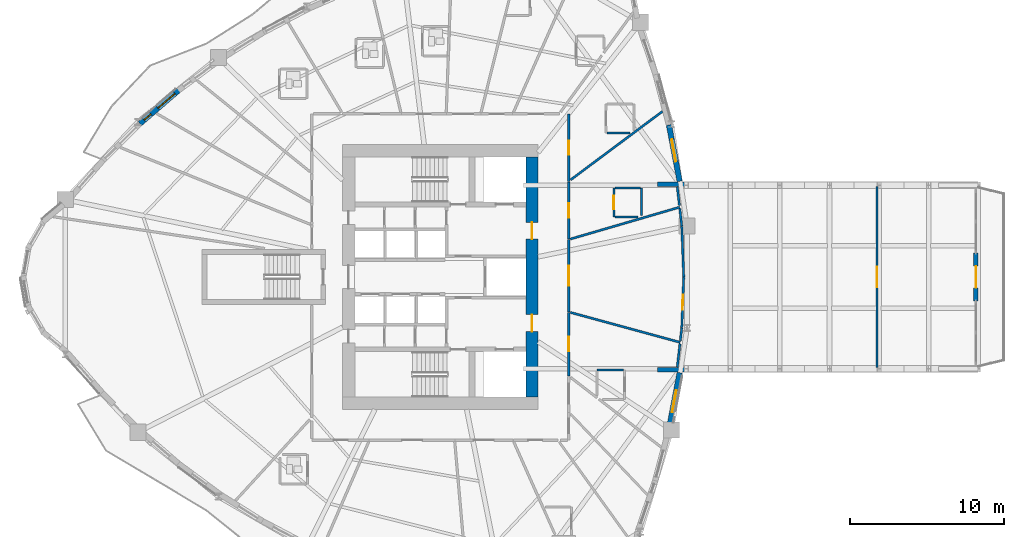
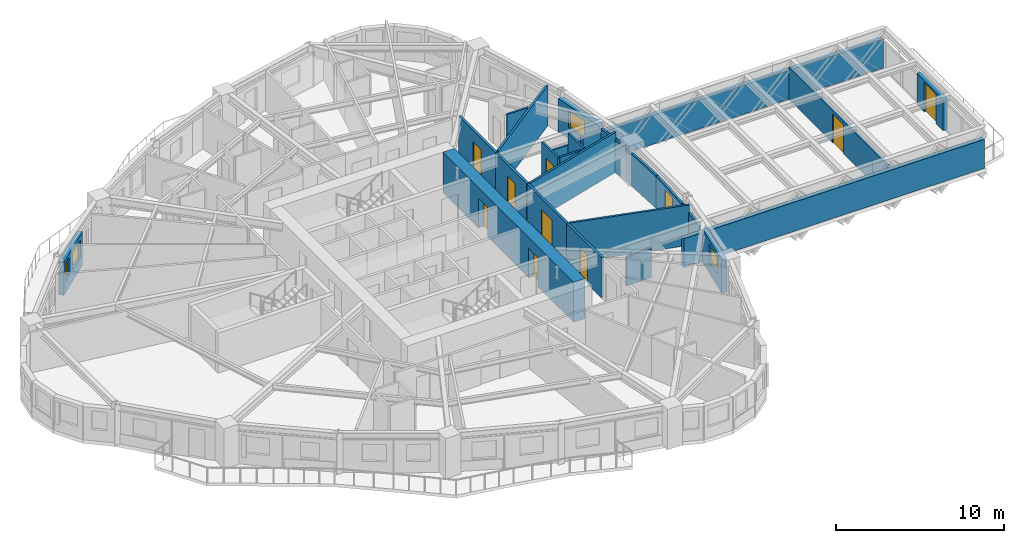
# One storey, part 8 of 16: 27 walls, 10 doors, 4 windows, 14 openings.
"""IFC4 building model written with IfcOpenShell, lengths in metres."""

from ifc_helpers import new_model, si_unit, direction, frame, frame_2d, origin, place, context, subcontext, project, spatial, rectangle, extrude, source, transform, mapped, material, layer, layer_set, type_object, element, fill, save


model = new_model("IFC4")

# Units and contexts
model_context = context("Model", 3, precision=1e-05, world=origin(), true_north=direction((0.0, 1.0)))
body_context = subcontext(model_context, "Body", "Model", "MODEL_VIEW")
ifc_project = project(units=[si_unit("LENGTHUNIT", "METRE"), si_unit("AREAUNIT", "SQUARE_METRE"), si_unit("VOLUMEUNIT", "CUBIC_METRE"), si_unit("PLANEANGLEUNIT", "RADIAN"), si_unit("MASSUNIT", "GRAM", prefix="KILO")], contexts=[model_context])

# Site, building, storey
site_placement = place(None, origin())
site = spatial("IfcSite", under=ifc_project, at=site_placement, CompositionType="ELEMENT")
building_placement = place(site_placement, origin())
building = spatial("IfcBuilding", under=site, at=building_placement, Name="Qafzar Sky-Pleat Residences", CompositionType="ELEMENT")
storey_placement = place(building_placement, frame((0.0, 0.0, 30.199951171875)))
storey = spatial("IfcBuildingStorey", under=building, at=storey_placement, Name="L08", CompositionType="ELEMENT", Elevation=30.199951171875)

# Wall, opening, door
ifc_material_1 = material(Name="Acoustic gypsum plasterboard partition", Category="gypsum")
ifc_layer_1 = layer(ifc_material_1, 0.159912109375)
ifc_layer_set_1 = layer_set([ifc_layer_1], Name="Acoustic gypsum plasterboard partition")
wall_type_1 = type_object("IfcWallType", Name="PART-COR-160", PredefinedType="PARTITIONING", material=ifc_layer_set_1)
wall_1_placement = place(storey_placement, frame((38.679931640625, 28.445068359375, 0.0), z_axis=(0.0, 0.0, 1.0), x_axis=(0.0, -1.0, 0.0)))
wall_1 = element("IfcWall", 1, at=wall_1_placement, inside=storey, type_object=wall_type_1, Name="L08 Partition Wall PART-L08-PW-004", PredefinedType="PARTITIONING", context=body_context, shape_type="SweptSolid", body=[
    extrude(rectangle(XDim=4.73095703125, YDim=0.159912109375, at=frame_2d((2.365478515625, 0.0))), origin(), (0.0, 0.0, 1.0), 2.93505859375),
])
opening_1_placement = place(wall_1_placement, frame((1.715576171875, 0.0, 0.0)))
opening_1 = element("IfcOpeningElement", 2, at=opening_1_placement, cuts=wall_1, Name="Opening ID-05", PredefinedType="OPENING", context=body_context, shape_type="SweptSolid", body=[
    extrude(rectangle(XDim=1.300048828125, YDim=2.10009765625, at=frame_2d((0.64990234375, 1.050048828125))), frame((0.0, 0.08984375, 0.0), z_axis=(0.0, -1.0, 0.0), x_axis=(1.0, 0.0, 0.0)), (0.0, 0.0, 1.0), 0.179931640625),
])
ifc_material_2 = material(Name="Timber-faced fire door", Category="wood")
door_type_1 = type_object("IfcDoorType", Name="DR-LNG-1300", OperationType="DOUBLE_DOOR_SINGLE_SWING", PredefinedType="DOOR", material=ifc_material_2)
shared_shape_1 = source(origin(), body_context, "Body", "SweptSolid", [
    extrude(rectangle(XDim=1.300048828125, YDim=2.10009765625, at=frame_2d((0.64990234375, 1.050048828125))), frame((0.0, 0.02490234375, 0.0), z_axis=(0.0, -1.0, 0.0), x_axis=(1.0, 0.0, 0.0)), (0.0, 0.0, 1.0), 0.050048828125),
])
door_1_placement = place(opening_1_placement, origin())
door_1 = element("IfcDoor", 3, at=door_1_placement, inside=storey, type_object=door_type_1, Name="L08 Co-Living Lounge Door", OperationType="DOUBLE_DOOR_SINGLE_SWING", OverallHeight=2.10009765625, OverallWidth=1.300048828125, PredefinedType="DOOR", context=body_context, shape_type="MappedRepresentation", body=[
    mapped(shared_shape_1, transform((0.0, 0.0, 0.0), x_axis=(1.0, 0.0, 0.0), y_axis=(0.0, 1.0, 0.0), z_axis=(0.0, 0.0, 1.0), scale=1.0)),
])
fill(opening_1, door_1)

wall_2_placement = place(storey_placement, frame((38.679931640625, 36.580078125, 0.0), z_axis=(0.0, 0.0, 1.0), x_axis=(0.0, -1.0, 0.0)))
wall_2 = element("IfcWall", 4, at=wall_2_placement, inside=storey, type_object=wall_type_1, Name="L08 Partition Wall PART-L08-PW-005", PredefinedType="PARTITIONING", context=body_context, shape_type="SweptSolid", body=[
    extrude(rectangle(XDim=4.39013671875, YDim=0.159912109375, at=frame_2d((2.195068359375, 0.0))), origin(), (0.0, 0.0, 1.0), 2.93505859375),
])
opening_2_placement = place(wall_2_placement, frame((1.7255859375, 0.0, 0.0)))
opening_2 = element("IfcOpeningElement", 5, at=opening_2_placement, cuts=wall_2, Name="Opening ID-04", PredefinedType="OPENING", context=body_context, shape_type="SweptSolid", body=[
    extrude(rectangle(XDim=0.919921875, YDim=2.10009765625, at=frame_2d((0.4599609375, 1.050048828125))), frame((0.0, 0.08984375, 0.0), z_axis=(0.0, -1.0, 0.0), x_axis=(1.0, 0.0, 0.0)), (0.0, 0.0, 1.0), 0.179931640625),
])
door_type_2 = type_object("IfcDoorType", Name="DR-BED-920", OperationType="NOTDEFINED", PredefinedType="DOOR", material=ifc_material_2)
shared_shape_2 = source(origin(), body_context, "Body", "SweptSolid", [
    extrude(rectangle(XDim=0.919921875, YDim=2.10009765625, at=frame_2d((0.4599609375, 1.050048828125))), frame((0.0, 0.02490234375, 0.0), z_axis=(0.0, -1.0, 0.0), x_axis=(1.0, 0.0, 0.0)), (0.0, 0.0, 1.0), 0.050048828125),
])
door_2_placement = place(opening_2_placement, origin())
door_2 = element("IfcDoor", 6, at=door_2_placement, inside=storey, type_object=door_type_2, Name="L08 Co-Living Bedroom 10 Door", OperationType="SINGLE_SWING_RIGHT", OverallHeight=2.10009765625, OverallWidth=0.919921875, PredefinedType="DOOR", context=body_context, shape_type="MappedRepresentation", body=[
    mapped(shared_shape_2, transform((0.0, 0.0, 0.0), x_axis=(1.0, 0.0, 0.0), y_axis=(0.0, 1.0, 0.0), z_axis=(0.0, 0.0, 1.0), scale=1.0)),
])
fill(opening_2, door_2)

wall_3_placement = place(storey_placement, frame((38.679931640625, 23.698974609375, 0.0), z_axis=(0.0, 0.0, 1.0), x_axis=(0.0, -1.0, 0.0)))
wall_3 = element("IfcWall", 7, at=wall_3_placement, inside=storey, type_object=wall_type_1, Name="L08 Partition Wall PART-L08-PW-006", PredefinedType="PARTITIONING", context=body_context, shape_type="SweptSolid", body=[
    extrude(rectangle(XDim=4.135009765625, YDim=0.159912109375, at=frame_2d((2.0673828125, 0.0))), origin(), (0.0, 0.0, 1.0), 2.93505859375),
])
opening_3_placement = place(wall_3_placement, frame((1.58251953125, 0.0, 0.0)))
opening_3 = element("IfcOpeningElement", 8, at=opening_3_placement, cuts=wall_3, Name="Opening ID-04", PredefinedType="OPENING", context=body_context, shape_type="SweptSolid", body=[
    extrude(rectangle(XDim=0.919921875, YDim=2.10009765625, at=frame_2d((0.4599609375, 1.050048828125))), frame((0.0, 0.08984375, 0.0), z_axis=(0.0, -1.0, 0.0), x_axis=(1.0, 0.0, 0.0)), (0.0, 0.0, 1.0), 0.179931640625),
])
door_3_placement = place(opening_3_placement, origin())
door_3 = element("IfcDoor", 9, at=door_3_placement, inside=storey, type_object=door_type_2, Name="L08 Co-Living Bedroom 8 Door", OperationType="SINGLE_SWING_LEFT", OverallHeight=2.10009765625, OverallWidth=0.919921875, PredefinedType="DOOR", context=body_context, shape_type="MappedRepresentation", body=[
    mapped(shared_shape_2, transform((0.0, 0.0, 0.0), x_axis=(1.0, 0.0, 0.0), y_axis=(0.0, 1.0, 0.0), z_axis=(0.0, 0.0, 1.0), scale=1.0)),
])
fill(opening_3, door_3)

wall_4_placement = place(storey_placement, frame((38.679931640625, 32.175048828125, 0.0), z_axis=(0.0, 0.0, 1.0), x_axis=(0.0, -1.0, 0.0)))
wall_4 = element("IfcWall", 10, at=wall_4_placement, inside=storey, type_object=wall_type_1, Name="L08 Partition Wall PART-L08-PW-010", PredefinedType="PARTITIONING", context=body_context, shape_type="SweptSolid", body=[
    extrude(rectangle(XDim=3.715087890625, YDim=0.159912109375, at=frame_2d((1.857421875, 0.0))), origin(), (0.0, 0.0, 1.0), 2.93505859375),
])
opening_4_placement = place(wall_4_placement, frame((1.39599609375, 0.0, 0.0)))
opening_4 = element("IfcOpeningElement", 11, at=opening_4_placement, cuts=wall_4, Name="Opening ID-04", PredefinedType="OPENING", context=body_context, shape_type="SweptSolid", body=[
    extrude(rectangle(XDim=0.919921875, YDim=2.10009765625, at=frame_2d((0.4599609375, 1.050048828125))), frame((0.0, 0.08984375, 0.0), z_axis=(0.0, -1.0, 0.0), x_axis=(1.0, 0.0, 0.0)), (0.0, 0.0, 1.0), 0.179931640625),
])
door_4_placement = place(opening_4_placement, origin())
door_4 = element("IfcDoor", 12, at=door_4_placement, inside=storey, type_object=door_type_2, Name="L08 Co-Living Bedroom 9 Door", OperationType="SINGLE_SWING_RIGHT", OverallHeight=2.10009765625, OverallWidth=0.919921875, PredefinedType="DOOR", context=body_context, shape_type="MappedRepresentation", body=[
    mapped(shared_shape_2, transform((0.0, 0.0, 0.0), x_axis=(1.0, 0.0, 0.0), y_axis=(0.0, 1.0, 0.0), z_axis=(0.0, 0.0, 1.0), scale=1.0)),
])
fill(opening_4, door_4)

ifc_layer_2 = layer(ifc_material_1, 0.14501953125)
ifc_layer_set_2 = layer_set([ifc_layer_2], Name="Acoustic gypsum plasterboard partition")
wall_type_2 = type_object("IfcWallType", Name="PART-UNIT-145", PredefinedType="PARTITIONING", material=ifc_layer_set_2)
wall_5_placement = place(storey_placement, frame((58.69091796875, 31.862060546875, 0.0), z_axis=(0.0, 0.0, 1.0), x_axis=(0.0, -1.0, 0.0)))
wall_5 = element("IfcWall", 13, at=wall_5_placement, inside=storey, type_object=wall_type_2, Name="L08 Partition Wall PART-L08-PW-001", PredefinedType="PARTITIONING", context=body_context, shape_type="SweptSolid", body=[
    extrude(rectangle(XDim=11.72412109375, YDim=0.14501953125, at=frame_2d((5.862060546875, 0.0))), origin(), (0.0, 0.0, 1.0), 2.35302734375),
])
opening_5_placement = place(wall_5_placement, frame((5.2119140625, 0.0, 0.0)))
opening_5 = element("IfcOpeningElement", 14, at=opening_5_placement, cuts=wall_5, Name="Opening ID-05", PredefinedType="OPENING", context=body_context, shape_type="SweptSolid", body=[
    extrude(rectangle(XDim=1.300048828125, YDim=2.10009765625, at=frame_2d((0.64990234375, 1.050048828125))), frame((0.0, 0.08251953125, 0.0), z_axis=(0.0, -1.0, 0.0), x_axis=(1.0, 0.0, 0.0)), (0.0, 0.0, 1.0), 0.1650390625),
])
door_5_placement = place(opening_5_placement, origin())
door_5 = element("IfcDoor", 15, at=door_5_placement, inside=storey, type_object=door_type_1, Name="L08 Panorama Sky Lounge Door", OperationType="DOUBLE_DOOR_SINGLE_SWING", OverallHeight=2.10009765625, OverallWidth=1.300048828125, PredefinedType="DOOR", context=body_context, shape_type="MappedRepresentation", body=[
    mapped(shared_shape_1, transform((0.0, 0.0, 0.0), x_axis=(1.0, 0.0, 0.0), y_axis=(0.0, 1.0, 0.0), z_axis=(0.0, 0.0, 1.0), scale=1.0)),
])
fill(opening_5, door_5)

wall_6_placement = place(storey_placement, frame((46.1455078125, 25.985107421875, 0.0), z_axis=(0.0, 0.0, 1.0), x_axis=(-0.038094618751, -0.999274136572, 0.0)))
wall_6 = element("IfcWall", 16, at=wall_6_placement, inside=storey, type_object=wall_type_2, Name="L08 Partition Wall PART-L08-PW-012", PredefinedType="PARTITIONING", context=body_context, shape_type="SweptSolid", body=[
    extrude(rectangle(XDim=3.2685546875, YDim=0.14501953125, at=frame_2d((1.63427734375, 0.0))), origin(), (0.0, 0.0, 1.0), 2.403076171875),
])
opening_6_placement = place(wall_6_placement, frame((1.146728515625, 0.0, 0.0)))
opening_6 = element("IfcOpeningElement", 17, at=opening_6_placement, cuts=wall_6, Name="Opening ID-06", PredefinedType="OPENING", context=body_context, shape_type="SweptSolid", body=[
    extrude(rectangle(XDim=0.9599609375, YDim=2.10009765625, at=frame_2d((0.47998046875, 1.050048828125))), frame((0.0, 0.08251953125, 0.0), z_axis=(0.0, -1.0, 0.0), x_axis=(1.0, 0.0, 0.0)), (0.0, 0.0, 1.0), 0.1650390625),
])
door_type_3 = type_object("IfcDoorType", Name="DR-STD-960", OperationType="NOTDEFINED", PredefinedType="DOOR", material=ifc_material_2)
shared_shape_3 = source(origin(), body_context, "Body", "SweptSolid", [
    extrude(rectangle(XDim=0.9599609375, YDim=2.10009765625, at=frame_2d((0.47998046875, 1.050048828125))), frame((0.0, 0.02490234375, 0.0), z_axis=(0.0, -1.0, 0.0), x_axis=(1.0, 0.0, 0.0)), (0.0, 0.0, 1.0), 0.050048828125),
])
door_6_placement = place(opening_6_placement, origin())
door_6 = element("IfcDoor", 18, at=door_6_placement, inside=storey, type_object=door_type_3, Name="L08 Sky-Bar Reading Library Door", OperationType="SINGLE_SWING_RIGHT", OverallHeight=2.10009765625, OverallWidth=0.9599609375, PredefinedType="DOOR", context=body_context, shape_type="MappedRepresentation", body=[
    mapped(shared_shape_3, transform((0.0, 0.0, 0.0), x_axis=(1.0, 0.0, 0.0), y_axis=(0.0, 1.0, 0.0), z_axis=(0.0, 0.0, 1.0), scale=1.0)),
])
fill(opening_6, door_6)

# Walls
wall_7_placement = place(storey_placement, frame((38.809814453125, 32.3056640625, 0.0), z_axis=(0.0, 0.0, 1.0), x_axis=(0.801799720797, 0.597592844443, 0.0)))
element("IfcWall", 19, at=wall_7_placement, inside=storey, type_object=wall_type_2, Name="L08 Partition Wall PART-L08-PW-041", PredefinedType="PARTITIONING", context=body_context, shape_type="SweptSolid", body=[
    extrude(rectangle(XDim=7.42431640625, YDim=0.14501953125, at=frame_2d((3.712158203125, 0.0))), origin(), (0.0, 0.0, 1.0), 2.93505859375),
])
wall_8_placement = place(storey_placement, frame((38.7880859375, 28.46044921875, 0.0), z_axis=(0.0, 0.0, 1.0), x_axis=(0.959983709987, 0.280055845432, 0.0)))
element("IfcWall", 20, at=wall_8_placement, inside=storey, type_object=wall_type_2, Name="L08 Partition Wall PART-L08-PW-042", PredefinedType="PARTITIONING", context=body_context, shape_type="SweptSolid", body=[
    extrude(rectangle(XDim=7.386474609375, YDim=0.14501953125, at=frame_2d((3.693359375, 0.0))), origin(), (0.0, 0.0, 1.0), 2.93505859375),
])
wall_9_placement = place(storey_placement, frame((38.786865234375, 23.700927734375, 0.0), z_axis=(0.0, 0.0, 1.0), x_axis=(0.964810342249, -0.262946769308, 0.0)))
element("IfcWall", 21, at=wall_9_placement, inside=storey, type_object=wall_type_2, Name="L08 Partition Wall PART-L08-PW-043", PredefinedType="PARTITIONING", context=body_context, shape_type="SweptSolid", body=[
    extrude(rectangle(XDim=7.385009765625, YDim=0.14501953125, at=frame_2d((3.6923828125, 0.0))), origin(), (0.0, 0.0, 1.0), 2.93505859375),
])
wall_10_placement = place(storey_placement, frame((46.02099609375, 29.281005859375, 0.0), z_axis=(0.0, 0.0, 1.0), x_axis=(0.038070453861, -0.999275057501, 0.0)))
element("IfcWall", 22, at=wall_10_placement, inside=storey, type_object=wall_type_2, Name="L08 Partition Wall PART-L08-PW-056", PredefinedType="PARTITIONING", context=body_context, shape_type="SweptSolid", body=[
    extrude(rectangle(XDim=3.283447265625, YDim=0.14501953125, at=frame_2d((1.6416015625, 0.0))), origin(), (0.0, 0.0, 1.0), 2.403076171875),
])
wall_11_placement = place(storey_placement, frame((45.728515625, 20.14599609375, 0.0), z_axis=(0.0, 0.0, 1.0), x_axis=(0.113074294354, 0.993586535716, 0.0)))
element("IfcWall", 23, at=wall_11_placement, inside=storey, type_object=wall_type_2, Name="L08 Partition Wall PART-L08-PW-087", PredefinedType="PARTITIONING", context=body_context, shape_type="SweptSolid", body=[
    extrude(rectangle(XDim=1.53076171875, YDim=0.14501953125, at=frame_2d((0.765380859375, 0.0))), origin(), (0.0, 0.0, 1.0), 2.403076171875),
])
wall_12_placement = place(storey_placement, frame((45.8896484375, 30.435546875, 0.0), z_axis=(0.0, 0.0, 1.0), x_axis=(0.113024308153, -0.993592223081, 0.0)))
element("IfcWall", 24, at=wall_12_placement, inside=storey, type_object=wall_type_2, Name="L08 Partition Wall PART-L08-PW-089", PredefinedType="PARTITIONING", context=body_context, shape_type="SweptSolid", body=[
    extrude(rectangle(XDim=1.14697265625, YDim=0.14501953125, at=frame_2d((0.573486328125, 0.0))), origin(), (0.0, 0.0, 1.0), 2.403076171875),
])
wall_13_placement = place(storey_placement, frame((45.728515625, 31.85400390625, 0.0), z_axis=(0.0, 0.0, 1.0), x_axis=(0.112860473391, -0.993610846129, 0.0)))
element("IfcWall", 25, at=wall_13_placement, inside=storey, type_object=wall_type_2, Name="L08 Partition Wall PART-L08-PW-090", PredefinedType="PARTITIONING", context=body_context, shape_type="SweptSolid", body=[
    extrude(rectangle(XDim=1.224365234375, YDim=0.14501953125, at=frame_2d((0.6123046875, 0.0))), origin(), (0.0, 0.0, 1.0), 2.403076171875),
])
wall_14_placement = place(storey_placement, frame((45.924072265625, 21.86572265625, 0.0), z_axis=(0.0, 0.0, 1.0), x_axis=(0.112844765803, 0.993612630169, 0.0)))
element("IfcWall", 26, at=wall_14_placement, inside=storey, type_object=wall_type_2, Name="L08 Partition Wall PART-L08-PW-096", PredefinedType="PARTITIONING", context=body_context, shape_type="SweptSolid", body=[
    extrude(rectangle(XDim=0.84375, YDim=0.14501953125, at=frame_2d((0.421875, 0.0))), origin(), (0.0, 0.0, 1.0), 2.403076171875),
])

# Wall, opening, door
ifc_material_3 = material(Name="Moisture-resistant gypsum partition", Category="gypsum")
ifc_layer_3 = layer(ifc_material_3, 0.1298828125)
ifc_layer_set_3 = layer_set([ifc_layer_3], Name="Moisture-resistant gypsum partition")
wall_type_3 = type_object("IfcWallType", Name="PART-WET-130", PredefinedType="PARTITIONING", material=ifc_layer_set_3)
wall_15_placement = place(storey_placement, frame((41.611083984375, 31.7880859375, 0.0), z_axis=(0.0, 0.0, 1.0), x_axis=(0.0, -1.0, 0.0)))
wall_15 = element("IfcWall", 27, at=wall_15_placement, inside=storey, type_object=wall_type_3, Name="L08 Partition Wall PART-L08-PW-026", PredefinedType="PARTITIONING", context=body_context, shape_type="SweptSolid", body=[
    extrude(rectangle(XDim=1.900146484375, YDim=0.1298828125, at=frame_2d((0.9501953125, 0.0))), origin(), (0.0, 0.0, 1.0), 2.93505859375),
])
opening_7_placement = place(wall_15_placement, frame((0.510009765625, 0.0, 0.0)))
opening_7 = element("IfcOpeningElement", 28, at=opening_7_placement, cuts=wall_15, Name="Opening ID-07", PredefinedType="OPENING", context=body_context, shape_type="SweptSolid", body=[
    extrude(rectangle(XDim=0.8798828125, YDim=2.050048828125, at=frame_2d((0.43994140625, 1.02490234375))), frame((0.0, 0.074951171875, 0.0), z_axis=(0.0, -1.0, 0.0), x_axis=(1.0, 0.0, 0.0)), (0.0, 0.0, 1.0), 0.14990234375),
])
door_type_4 = type_object("IfcDoorType", Name="DR-WET-880", OperationType="NOTDEFINED", PredefinedType="DOOR", material=ifc_material_2)
shared_shape_4 = source(origin(), body_context, "Body", "SweptSolid", [
    extrude(rectangle(XDim=0.8798828125, YDim=2.050048828125, at=frame_2d((0.43994140625, 1.02490234375))), frame((0.0, 0.02490234375, 0.0), z_axis=(0.0, -1.0, 0.0), x_axis=(1.0, 0.0, 0.0)), (0.0, 0.0, 1.0), 0.050048828125),
])
door_7_placement = place(opening_7_placement, origin())
door_7 = element("IfcDoor", 29, at=door_7_placement, inside=storey, type_object=door_type_4, Name="L08 En-suite Bathroom 9 Door", OperationType="SINGLE_SWING_RIGHT", OverallHeight=2.050048828125, OverallWidth=0.8798828125, PredefinedType="DOOR", context=body_context, shape_type="MappedRepresentation", body=[
    mapped(shared_shape_4, transform((0.0, 0.0, 0.0), x_axis=(1.0, 0.0, 0.0), y_axis=(0.0, 1.0, 0.0), z_axis=(0.0, 0.0, 1.0), scale=1.0)),
])
fill(opening_7, door_7)

# Walls
wall_16_placement = place(storey_placement, frame((43.410888671875, 29.990478515625, 0.0), z_axis=(0.0, 0.0, 1.0), x_axis=(0.0, 1.0, 0.0)))
element("IfcWall", 30, at=wall_16_placement, inside=storey, type_object=wall_type_3, Name="L08 Partition Wall PART-L08-PW-064", PredefinedType="PARTITIONING", context=body_context, shape_type="SweptSolid", body=[
    extrude(rectangle(XDim=1.797607421875, YDim=0.1298828125, at=frame_2d((0.89892578125, 0.0))), origin(), (0.0, 0.0, 1.0), 2.93505859375),
])
wall_17_placement = place(storey_placement, frame((41.68408203125, 31.7880859375, 0.0), z_axis=(0.0, 0.0, 1.0), x_axis=(1.0, 0.0, 0.0)))
element("IfcWall", 31, at=wall_17_placement, inside=storey, type_object=wall_type_3, Name="L08 Partition Wall PART-L08-PW-068", PredefinedType="PARTITIONING", context=body_context, shape_type="SweptSolid", body=[
    extrude(rectangle(XDim=1.65380859375, YDim=0.1298828125, at=frame_2d((0.826904296875, 0.0))), origin(), (0.0, 0.0, 1.0), 2.10302734375),
])
wall_18_placement = place(storey_placement, frame((41.68408203125, 29.887939453125, 0.0), z_axis=(0.0, 0.0, 1.0), x_axis=(1.0, 0.0, 0.0)))
element("IfcWall", 32, at=wall_18_placement, inside=storey, type_object=wall_type_3, Name="L08 Partition Wall PART-L08-PW-069", PredefinedType="PARTITIONING", context=body_context, shape_type="SweptSolid", body=[
    extrude(rectangle(XDim=1.48681640625, YDim=0.1298828125, at=frame_2d((0.743408203125, 0.0))), origin(), (0.0, 0.0, 1.0), 2.93505859375),
])
wall_19_placement = place(storey_placement, frame((40.51806640625, 19.966064453125, 0.0), z_axis=(0.0, 0.0, 1.0), x_axis=(1.0, 0.0, 0.0)))
element("IfcWall", 33, at=wall_19_placement, inside=storey, type_object=wall_type_3, Name="L08 Partition Wall PART-L08-PW-076", PredefinedType="PARTITIONING", context=body_context, shape_type="SweptSolid", body=[
    extrude(rectangle(XDim=1.72705078125, YDim=0.1298828125, at=frame_2d((0.863525390625, 0.0))), origin(), (0.0, 0.0, 1.0), 2.10302734375),
])
wall_20_placement = place(storey_placement, frame((41.178955078125, 35.3330078125, 0.0), z_axis=(0.0, 0.0, 1.0), x_axis=(1.0, 0.0, 0.0)))
element("IfcWall", 34, at=wall_20_placement, inside=storey, type_object=wall_type_3, Name="L08 Partition Wall PART-L08-PW-080", PredefinedType="PARTITIONING", context=body_context, shape_type="SweptSolid", body=[
    extrude(rectangle(XDim=1.4755859375, YDim=0.1298828125, at=frame_2d((0.73779296875, 0.0))), origin(), (0.0, 0.0, 1.0), 2.93505859375),
])
ifc_material_4 = material(Name="Precast concrete C40/50 with honed Riyadh limestone", Category="concrete")
ifc_layer_4 = layer(ifc_material_4, 0.300048828125)
ifc_layer_set_4 = layer_set([ifc_layer_4], Name="Precast concrete C40/50 with honed Riyadh limestone")
wall_type_4 = type_object("IfcWallType", Name="WALL-EXT-300", PredefinedType="SOLIDWALL", material=ifc_layer_set_4)
for number, where, z_axis, x_axis, name in (
    (35, (44.449951171875, 32.02001953125, 0.0), (0.0, 0.0, 1.0), (1.0, 0.0, 0.0), "L08 SB-1 Side Spandrel Wall L"),
    (36, (44.449951171875, 19.97998046875, 0.0), (0.0, 0.0, 1.0), (1.0, 0.0, 0.0), "L08 SB-1 Side Spandrel Wall R"),
):
    element("IfcWall", number, at=place(storey_placement, frame(where, z_axis=z_axis, x_axis=x_axis)), inside=storey, type_object=wall_type_4, Name=name, PredefinedType="SOLIDWALL", context=body_context, shape_type="SweptSolid", body=[
        extrude(rectangle(XDim=20.6845703125, YDim=0.300048828125, at=frame_2d((10.34228515625, 0.0))), origin(), (0.0, 0.0, 1.0), 2.114990234375),
    ])

# Wall, opening, door
wall_21_placement = place(storey_placement, frame((65.1044921875, 27.56005859375, 0.0), z_axis=(0.0, 0.0, 1.0), x_axis=(0.0, -1.0, 0.0)))
wall_21 = element("IfcWall", 37, at=wall_21_placement, inside=storey, type_object=wall_type_4, Name="L08 SB-1 Prow Portal Wall", PredefinedType="SOLIDWALL", context=body_context, shape_type="SweptSolid", body=[
    extrude(rectangle(XDim=3.1201171875, YDim=0.300048828125, at=frame_2d((1.56005859375, 0.0))), origin(), (0.0, 0.0, 1.0), 2.300048828125),
])
opening_8_placement = place(wall_21_placement, frame((0.860107421875, 0.0, 0.0)))
opening_8 = element("IfcOpeningElement", 38, at=opening_8_placement, cuts=wall_21, Name="Opening ED-07", PredefinedType="OPENING", context=body_context, shape_type="SweptSolid", body=[
    extrude(rectangle(XDim=1.39990234375, YDim=2.14990234375, at=frame_2d((0.699951171875, 1.074951171875))), frame((0.0, 0.16015625, 0.0), z_axis=(0.0, -1.0, 0.0), x_axis=(1.0, 0.0, 0.0)), (0.0, 0.0, 1.0), 0.320068359375),
])
ifc_material_5 = material(Name="Glazed bronze aluminium door", Category="aluminium")
door_type_5 = type_object("IfcDoorType", Name="DR-SB-1400", OperationType="DOUBLE_DOOR_SINGLE_SWING", PredefinedType="DOOR", material=ifc_material_5)
shared_shape_5 = source(origin(), body_context, "Body", "SweptSolid", [
    extrude(rectangle(XDim=1.39990234375, YDim=2.14990234375, at=frame_2d((0.699951171875, 1.074951171875))), frame((0.0, 0.02490234375, 0.0), z_axis=(0.0, -1.0, 0.0), x_axis=(1.0, 0.0, 0.0)), (0.0, 0.0, 1.0), 0.050048828125),
])
door_8_placement = place(opening_8_placement, origin())
door_8 = element("IfcDoor", 39, at=door_8_placement, inside=storey, type_object=door_type_5, Name="L08 SB-1 Tip Balcony Glazed Door", OperationType="DOUBLE_DOOR_SINGLE_SWING", OverallHeight=2.14990234375, OverallWidth=1.39990234375, PredefinedType="DOOR", context=body_context, shape_type="MappedRepresentation", body=[
    mapped(shared_shape_5, transform((0.0, 0.0, 0.0), x_axis=(1.0, 0.0, 0.0), y_axis=(0.0, 1.0, 0.0), z_axis=(0.0, 0.0, 1.0), scale=1.0)),
])
fill(opening_8, door_8)

# Wall, opening, window
ifc_layer_5 = layer(ifc_material_4, 0.35009765625)
ifc_layer_set_5 = layer_set([ifc_layer_5], Name="Precast concrete C40/50 with honed Riyadh limestone")
wall_type_5 = type_object("IfcWallType", Name="WALL-EXT-350", PredefinedType="SOLIDWALL", material=ifc_layer_set_5)
wall_22_placement = place(storey_placement, frame((45.239501953125, 16.407958984375, 0.0), z_axis=(0.0, 0.0, 1.0), x_axis=(0.186636709983, 0.982428999209, 0.0)))
wall_22 = element("IfcWall", 40, at=wall_22_placement, inside=storey, type_object=wall_type_5, Name="L08 Limestone Facade Wall 25", PredefinedType="SOLIDWALL", context=body_context, shape_type="SweptSolid", body=[
    extrude(rectangle(XDim=3.445556640625, YDim=0.35009765625, at=frame_2d((1.72265625, 0.0))), origin(), (0.0, 0.0, 1.0), 2.4150390625),
])
opening_9_placement = place(wall_22_placement, frame((0.827880859375, 0.0, 0.820068359375)))
opening_9 = element("IfcOpeningElement", 41, at=opening_9_placement, cuts=wall_22, Name="Opening WN-15", PredefinedType="OPENING", context=body_context, shape_type="SweptSolid", body=[
    extrude(rectangle(XDim=1.449951171875, YDim=1.25, at=frame_2d((0.72509765625, 0.625))), frame((0.0, 0.18505859375, 0.0), z_axis=(0.0, -1.0, 0.0), x_axis=(1.0, 0.0, 0.0)), (0.0, 0.0, 1.0), 0.3701171875),
])
ifc_material_6 = material(Name="Solar-control low-E glass in bronze aluminium frame", Category="glass")
window_type_1 = type_object("IfcWindowType", Name="WIN-15", PartitioningType="SINGLE_PANEL", PredefinedType="WINDOW", material=ifc_material_6)
shared_shape_6 = source(origin(), body_context, "Body", "SweptSolid", [
    extrude(rectangle(XDim=1.449951171875, YDim=1.25, at=frame_2d((0.72509765625, 0.625))), frame((0.0, 0.030029296875, 0.0), z_axis=(0.0, -1.0, 0.0), x_axis=(1.0, 0.0, 0.0)), (0.0, 0.0, 1.0), 0.06005859375),
])
window_1_placement = place(opening_9_placement, origin())
window_1 = element("IfcWindow", 42, at=window_1_placement, inside=storey, type_object=window_type_1, Name="L08 Punched Facade Window 25", OverallHeight=1.25, OverallWidth=1.449951171875, PartitioningType="SINGLE_PANEL", PredefinedType="WINDOW", context=body_context, shape_type="MappedRepresentation", body=[
    mapped(shared_shape_6, transform((0.0, 0.0, 0.0), x_axis=(1.0, 0.0, 0.0), y_axis=(0.0, 1.0, 0.0), z_axis=(0.0, 0.0, 1.0), scale=1.0)),
])
fill(opening_9, window_1)

wall_23_placement = place(storey_placement, frame((45.882568359375, 32.20703125, 0.0), z_axis=(0.0, 0.0, 1.0), x_axis=(-0.186693533797, 0.982418202416, 0.0)))
wall_23 = element("IfcWall", 43, at=wall_23_placement, inside=storey, type_object=wall_type_5, Name="L08 Limestone Facade Wall 30", PredefinedType="SOLIDWALL", context=body_context, shape_type="SweptSolid", body=[
    extrude(rectangle(XDim=3.7255859375, YDim=0.35009765625, at=frame_2d((1.86279296875, 0.0))), origin(), (0.0, 0.0, 1.0), 2.4150390625),
])
opening_10_placement = place(wall_23_placement, frame((1.312744140625, 0.0, 0.820068359375)))
opening_10 = element("IfcOpeningElement", 44, at=opening_10_placement, cuts=wall_23, Name="Opening WN-15", PredefinedType="OPENING", context=body_context, shape_type="SweptSolid", body=[
    extrude(rectangle(XDim=1.449951171875, YDim=1.25, at=frame_2d((0.72509765625, 0.625))), frame((0.0, 0.18505859375, 0.0), z_axis=(0.0, -1.0, 0.0), x_axis=(1.0, 0.0, 0.0)), (0.0, 0.0, 1.0), 0.3701171875),
])
window_2_placement = place(opening_10_placement, origin())
window_2 = element("IfcWindow", 45, at=window_2_placement, inside=storey, type_object=window_type_1, Name="L08 Punched Facade Window 30", OverallHeight=1.25, OverallWidth=1.449951171875, PartitioningType="SINGLE_PANEL", PredefinedType="WINDOW", context=body_context, shape_type="MappedRepresentation", body=[
    mapped(shared_shape_6, transform((0.0, 0.0, 0.0), x_axis=(1.0, 0.0, 0.0), y_axis=(0.0, 1.0, 0.0), z_axis=(0.0, 0.0, 1.0), scale=1.0)),
])
fill(opening_10, window_2)

# Wall, openings, windows
wall_24_placement = place(storey_placement, frame((13.42431640625, 38.159912109375, 0.0), z_axis=(0.0, 0.0, 1.0), x_axis=(-0.757512075852, -0.652821150805, 0.0)))
wall_24 = element("IfcWall", 46, at=wall_24_placement, inside=storey, type_object=wall_type_5, Name="L08 Limestone Facade Wall 46", PredefinedType="SOLIDWALL", context=body_context, shape_type="SweptSolid", body=[
    extrude(rectangle(XDim=3.3837890625, YDim=0.35009765625, at=frame_2d((1.69189453125, 0.0))), origin(), (0.0, 0.0, 1.0), 2.4150390625),
])
opening_11_placement = place(wall_24_placement, frame((0.3916015625, 0.0, 0.820068359375)))
opening_11 = element("IfcOpeningElement", 47, at=opening_11_placement, cuts=wall_24, Name="Opening WN-15", PredefinedType="OPENING", context=body_context, shape_type="SweptSolid", body=[
    extrude(rectangle(XDim=1.449951171875, YDim=1.25, at=frame_2d((0.72509765625, 0.625))), frame((0.0, 0.18505859375, 0.0), z_axis=(0.0, -1.0, 0.0), x_axis=(1.0, 0.0, 0.0)), (0.0, 0.0, 1.0), 0.3701171875),
])
opening_12_placement = place(wall_24_placement, frame((2.44873046875, 0.0, 0.820068359375)))
opening_12 = element("IfcOpeningElement", 48, at=opening_12_placement, cuts=wall_24, Name="Opening WN-17", PredefinedType="OPENING", context=body_context, shape_type="SweptSolid", body=[
    extrude(rectangle(XDim=0.580078125, YDim=1.35009765625, at=frame_2d((0.2900390625, 0.675048828125))), frame((0.0, 0.18505859375, 0.0), z_axis=(0.0, -1.0, 0.0), x_axis=(1.0, 0.0, 0.0)), (0.0, 0.0, 1.0), 0.3701171875),
])
window_3_placement = place(opening_11_placement, origin())
window_3 = element("IfcWindow", 49, at=window_3_placement, inside=storey, type_object=window_type_1, Name="L08 Punched Facade Window 46", OverallHeight=1.25, OverallWidth=1.449951171875, PartitioningType="SINGLE_PANEL", PredefinedType="WINDOW", context=body_context, shape_type="MappedRepresentation", body=[
    mapped(shared_shape_6, transform((0.0, 0.0, 0.0), x_axis=(1.0, 0.0, 0.0), y_axis=(0.0, 1.0, 0.0), z_axis=(0.0, 0.0, 1.0), scale=1.0)),
])
fill(opening_11, window_3)
window_type_2 = type_object("IfcWindowType", Name="WIN-17", PartitioningType="SINGLE_PANEL", PredefinedType="WINDOW", material=ifc_material_6)
shared_shape_7 = source(origin(), body_context, "Body", "SweptSolid", [
    extrude(rectangle(XDim=0.580078125, YDim=1.35009765625, at=frame_2d((0.2900390625, 0.675048828125))), frame((0.0, 0.030029296875, 0.0), z_axis=(0.0, -1.0, 0.0), x_axis=(1.0, 0.0, 0.0)), (0.0, 0.0, 1.0), 0.06005859375),
])
window_4_placement = place(opening_12_placement, origin())
window_4 = element("IfcWindow", 50, at=window_4_placement, inside=storey, type_object=window_type_2, Name="L08 Punched Facade Window 46-2", OverallHeight=1.35009765625, OverallWidth=0.580078125, PartitioningType="SINGLE_PANEL", PredefinedType="WINDOW", context=body_context, shape_type="MappedRepresentation", body=[
    mapped(shared_shape_7, transform((0.0, 0.0, 0.0), x_axis=(1.0, 0.0, 0.0), y_axis=(0.0, 1.0, 0.0), z_axis=(0.0, 0.0, 1.0), scale=1.0)),
])
fill(opening_12, window_4)

# Wall, openings, doors
ifc_material_7 = material(Name="Concrete C60/75", Category="concrete")
ifc_layer_6 = layer(ifc_material_7, 0.800048828125)
ifc_layer_set_6 = layer_set([ifc_layer_6], Name="Concrete C60/75")
wall_type_6 = type_object("IfcWallType", Name="WALL-SHEAR-800", PredefinedType="SHEAR", material=ifc_layer_set_6)
wall_25_placement = place(storey_placement, frame((36.300048828125, 18.199951171875, 0.0), z_axis=(0.0, 0.0, 1.0), x_axis=(0.0, 1.0, 0.0)))
wall_25 = element("IfcWall", 51, at=wall_25_placement, inside=storey, type_object=wall_type_6, Name="L08 CORE wall E", PredefinedType="SHEAR", context=body_context, shape_type="SweptSolid", body=[
    extrude(rectangle(XDim=15.60009765625, YDim=0.800048828125, at=frame_2d((7.800048828125, 0.0))), origin(), (0.0, 0.0, 1.0), 2.93505859375),
])
opening_13_placement = place(wall_25_placement, frame((4.25, 0.0, 0.0)))
opening_13 = element("IfcOpeningElement", 52, at=opening_13_placement, cuts=wall_25, Name="Opening ID-02", PredefinedType="OPENING", context=body_context, shape_type="SweptSolid", body=[
    extrude(rectangle(XDim=1.10009765625, YDim=2.14990234375, at=frame_2d((0.550048828125, 1.074951171875))), frame((0.0, 0.41015625, 0.0), z_axis=(0.0, -1.0, 0.0), x_axis=(1.0, 0.0, 0.0)), (0.0, 0.0, 1.0), 0.820068359375),
])
opening_14_placement = place(wall_25_placement, frame((10.25, 0.0, 0.0)))
opening_14 = element("IfcOpeningElement", 53, at=opening_14_placement, cuts=wall_25, Name="Opening ID-02", PredefinedType="OPENING", context=body_context, shape_type="SweptSolid", body=[
    extrude(rectangle(XDim=1.10009765625, YDim=2.14990234375, at=frame_2d((0.550048828125, 1.074951171875))), frame((0.0, 0.41015625, 0.0), z_axis=(0.0, -1.0, 0.0), x_axis=(1.0, 0.0, 0.0)), (0.0, 0.0, 1.0), 0.820068359375),
])
door_type_6 = type_object("IfcDoorType", Name="DR-FFL-1100", OperationType="NOTDEFINED", PredefinedType="DOOR", material=ifc_material_2)
shared_shape_8 = source(origin(), body_context, "Body", "SweptSolid", [
    extrude(rectangle(XDim=1.10009765625, YDim=2.14990234375, at=frame_2d((0.550048828125, 1.074951171875))), frame((0.0, 0.02490234375, 0.0), z_axis=(0.0, -1.0, 0.0), x_axis=(1.0, 0.0, 0.0)), (0.0, 0.0, 1.0), 0.050048828125),
])
door_9_placement = place(opening_13_placement, origin())
door_9 = element("IfcDoor", 54, at=door_9_placement, inside=storey, type_object=door_type_6, Name="L08 Firefighting Lobby South Corridor Door", OperationType="SINGLE_SWING_RIGHT", OverallHeight=2.14990234375, OverallWidth=1.10009765625, PredefinedType="DOOR", context=body_context, shape_type="MappedRepresentation", body=[
    mapped(shared_shape_8, transform((0.0, 0.0, 0.0), x_axis=(1.0, 0.0, 0.0), y_axis=(0.0, 1.0, 0.0), z_axis=(0.0, 0.0, 1.0), scale=1.0)),
])
fill(opening_13, door_9)
door_10_placement = place(opening_14_placement, origin())
door_10 = element("IfcDoor", 55, at=door_10_placement, inside=storey, type_object=door_type_6, Name="L08 Firefighting Lobby North Corridor Door", OperationType="SINGLE_SWING_LEFT", OverallHeight=2.14990234375, OverallWidth=1.10009765625, PredefinedType="DOOR", context=body_context, shape_type="MappedRepresentation", body=[
    mapped(shared_shape_8, transform((0.0, 0.0, 0.0), x_axis=(1.0, 0.0, 0.0), y_axis=(0.0, 1.0, 0.0), z_axis=(0.0, 0.0, 1.0), scale=1.0)),
])
fill(opening_14, door_10)

save(model, "model.ifc")
